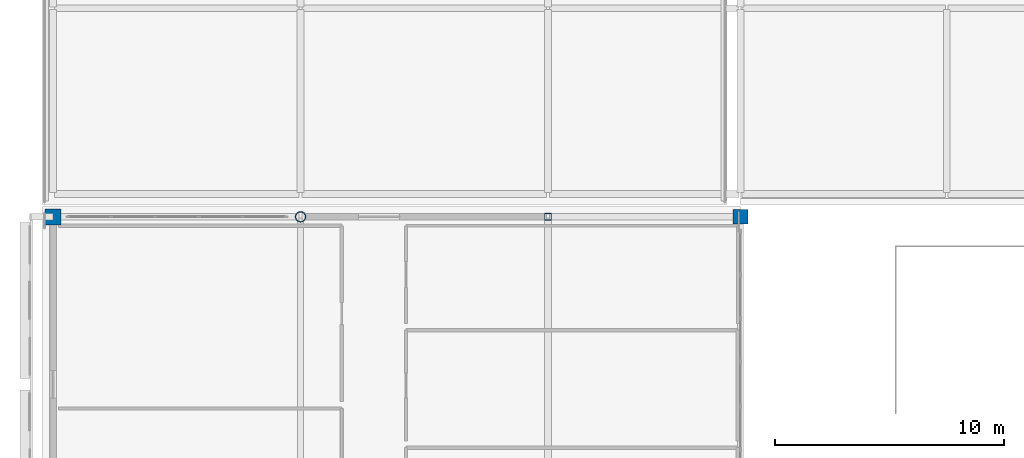
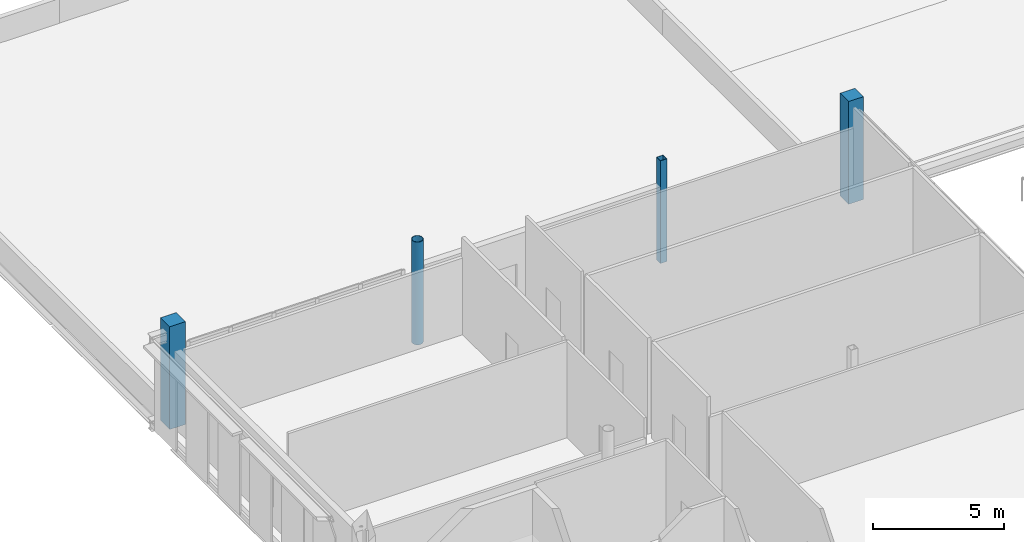
# One storey, part 5 of 104: 4 columns.
"""IFC4 building model written with IfcOpenShell, lengths in metres."""

from ifc_helpers import new_model, si_unit, direction, frame, origin, origin_2d, place, context, subcontext, project, spatial, rectangle, hollow_rectangle, hollow_circle, extrude, material, material_profile, profile_set, type_object, element, save


model = new_model("IFC4")

# Units and contexts
model_context = context("Model", 3, precision=1e-05, world=origin(), true_north=direction((0.0, 1.0)))
body_context = subcontext(model_context, "Body", "Model", "MODEL_VIEW")
ifc_project = project(units=[si_unit("LENGTHUNIT", "METRE"), si_unit("AREAUNIT", "SQUARE_METRE"), si_unit("VOLUMEUNIT", "CUBIC_METRE"), si_unit("PLANEANGLEUNIT", "RADIAN"), si_unit("MASSUNIT", "GRAM", prefix="KILO")], contexts=[model_context])

# Site, building, storey
site_placement = place(None, origin())
site = spatial("IfcSite", under=ifc_project, at=site_placement, CompositionType="ELEMENT")
building_placement = place(site_placement, origin())
building = spatial("IfcBuilding", under=site, at=building_placement, Name="Koshinbarg Plaza Stadium", CompositionType="ELEMENT")
storey_placement = place(building_placement, frame((0.0, 0.0, 19.800048828125)))
storey = spatial("IfcBuildingStorey", under=building, at=storey_placement, Name="L04", CompositionType="ELEMENT", Elevation=19.800048828125)

# Columns
ifc_material_1 = material(Name="Concrete C40/50", Category="concrete")
ifc_material_profile_1 = material_profile(ifc_material_1, rectangle(XDim=0.64990234375, YDim=0.64990234375, at=origin_2d()), Name="RC 650x650")
ifc_profile_set_1 = profile_set([ifc_material_profile_1], Name="Concrete C40/50")
column_type_1 = type_object("IfcColumnType", Name="COL-RC-05", PredefinedType="COLUMN", material=ifc_profile_set_1)
column_1_placement = place(storey_placement, frame((54.60009765625, 126.5, 0.0), z_axis=(0.0, 0.0, 1.0), x_axis=(1.0, 0.0, 0.0)))
element("IfcColumn", 1, at=column_1_placement, inside=storey, type_object=column_type_1, Name="L04 column 8/R", PredefinedType="COLUMN", context=body_context, shape_type="SweptSolid", body=[
    extrude(rectangle(XDim=0.64990234375, YDim=0.64990234375, at=origin_2d()), origin(), (0.0, 0.0, 1.0), 4.800048828125),
])
ifc_material_profile_2 = material_profile(ifc_material_1, rectangle(XDim=0.699951171875, YDim=0.699951171875, at=origin_2d()), Name="RC 700x700")
ifc_profile_set_2 = profile_set([ifc_material_profile_2], Name="Concrete C40/50")
column_type_2 = type_object("IfcColumnType", Name="COL-RC-06", PredefinedType="COLUMN", material=ifc_profile_set_2)
column_2_placement = place(storey_placement, frame((24.60009765625, 126.5, 0.0), z_axis=(0.0, 0.0, 1.0), x_axis=(1.0, 0.0, 0.0)))
element("IfcColumn", 2, at=column_2_placement, inside=storey, type_object=column_type_2, Name="L04 column 5/R", PredefinedType="COLUMN", context=body_context, shape_type="SweptSolid", body=[
    extrude(rectangle(XDim=0.699951171875, YDim=0.699951171875, at=origin_2d()), origin(), (0.0, 0.0, 1.0), 4.800048828125),
])
ifc_material_2 = material(Name="Steel S355", Category="steel")
ifc_material_profile_3 = material_profile(ifc_material_2, hollow_circle(Radius=0.228515625, WallThickness=0.02001953125, at=origin_2d()), Name="CHS 457x20")
ifc_profile_set_3 = profile_set([ifc_material_profile_3], Name="Steel S355")
column_type_3 = type_object("IfcColumnType", Name="COL-STL-05", PredefinedType="COLUMN", material=ifc_profile_set_3)
column_3_placement = place(storey_placement, frame((35.39990234375, 126.5, 0.0), z_axis=(0.0, 0.0, 1.0), x_axis=(1.0, 0.0, 0.0)))
element("IfcColumn", 3, at=column_3_placement, inside=storey, type_object=column_type_3, Name="L04 column 6/R", PredefinedType="COLUMN", context=body_context, shape_type="SweptSolid", body=[
    extrude(hollow_circle(Radius=0.228515625, WallThickness=0.02001953125, at=origin_2d()), origin(), (0.0, 0.0, 1.0), 4.800048828125),
])
ifc_material_profile_4 = material_profile(ifc_material_2, hollow_rectangle(XDim=0.300048828125, YDim=0.300048828125, WallThickness=0.01611328125, at=origin_2d()), Name="SHS 300x300x16")
ifc_profile_set_4 = profile_set([ifc_material_profile_4], Name="Steel S355")
column_type_4 = type_object("IfcColumnType", Name="COL-STL-06", PredefinedType="COLUMN", material=ifc_profile_set_4)
column_4_placement = place(storey_placement, frame((46.199951171875, 126.5, 0.0), z_axis=(0.0, 0.0, 1.0), x_axis=(1.0, 0.0, 0.0)))
element("IfcColumn", 4, at=column_4_placement, inside=storey, type_object=column_type_4, Name="L04 column 7/R", PredefinedType="COLUMN", context=body_context, shape_type="SweptSolid", body=[
    extrude(hollow_rectangle(XDim=0.300048828125, YDim=0.300048828125, WallThickness=0.01611328125, at=origin_2d()), origin(), (0.0, 0.0, 1.0), 4.800048828125),
])

save(model, "model.ifc")
